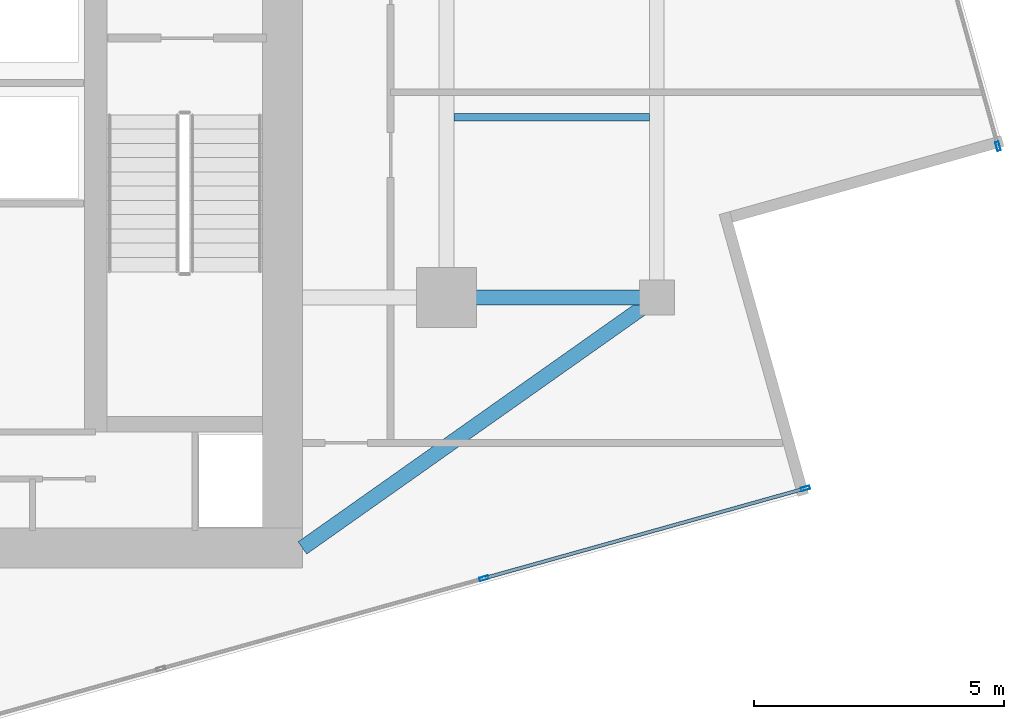
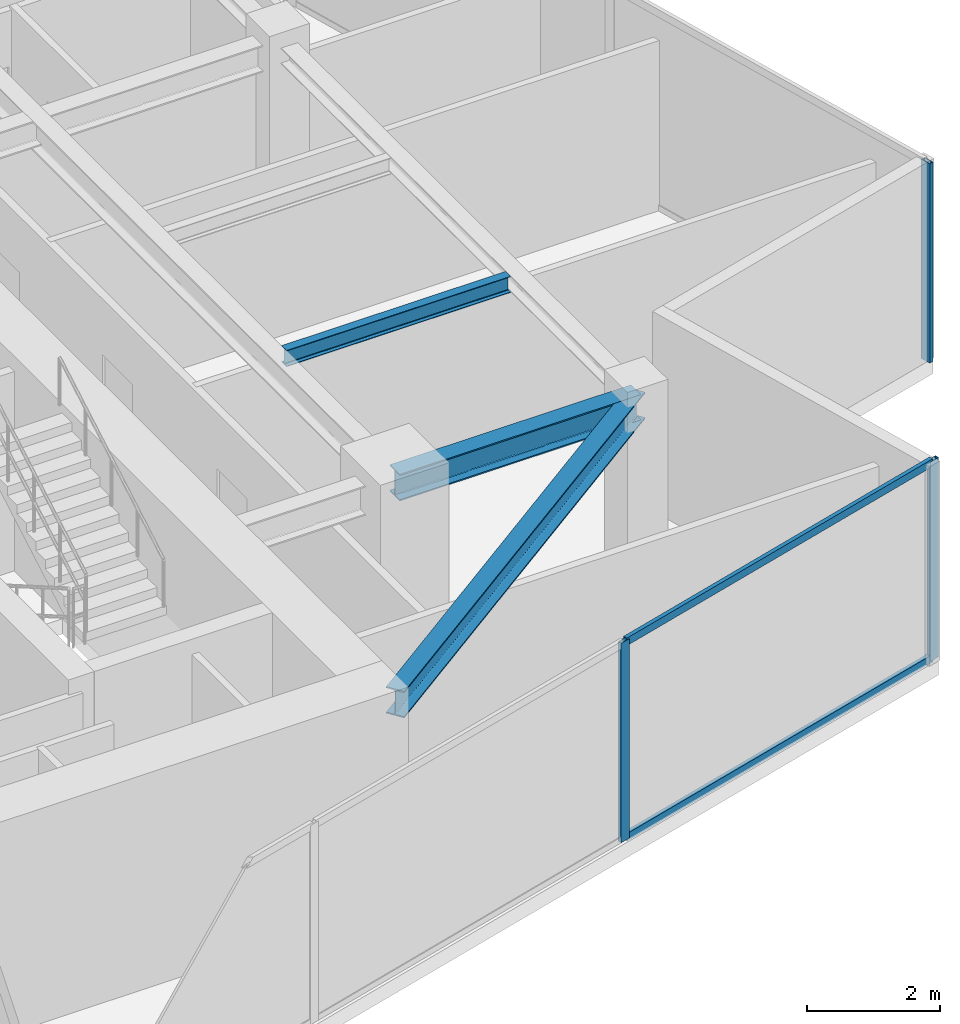
# One storey, part 9 of 20: 5 members, 3 beams, 2 elements without a shape of their own.
"""IFC4 building model written with IfcOpenShell, lengths in metres."""

from ifc_helpers import new_model, si_unit, direction, frame, origin, origin_2d, place, context, subcontext, project, spatial, hollow_rectangle, i_section, extrude, source, transform, mapped, material, material_profile, profile_set, type_object, type_shapes, element, aggregate, save


model = new_model("IFC4")

# Units and contexts
model_context = context("Model", 3, precision=1e-05, world=origin(), true_north=direction((0.0, 1.0)))
body_context = subcontext(model_context, "Body", "Model", "MODEL_VIEW")
ifc_project = project(units=[si_unit("LENGTHUNIT", "METRE"), si_unit("AREAUNIT", "SQUARE_METRE"), si_unit("VOLUMEUNIT", "CUBIC_METRE"), si_unit("PLANEANGLEUNIT", "RADIAN"), si_unit("MASSUNIT", "GRAM", prefix="KILO")], contexts=[model_context])

# Site, building, storey
site_placement = place(None, origin())
site = spatial("IfcSite", under=ifc_project, at=site_placement, CompositionType="ELEMENT")
building_placement = place(site_placement, origin())
building = spatial("IfcBuilding", under=site, at=building_placement, Name="Krantzveldt Concourse Tower", CompositionType="ELEMENT")
storey_placement = place(building_placement, frame((0.0, 0.0, 351.39990234375)))
storey = spatial("IfcBuildingStorey", under=building, at=storey_placement, Name="L86", CompositionType="ELEMENT", Elevation=351.39990234375)

# Beams
ifc_material_1 = material(Name="Steel S355JR", Category="steel")
ifc_material_profile_1 = material_profile(ifc_material_1, i_section(OverallWidth=0.300048828125, OverallDepth=0.489990234375, WebThickness=0.011962890625, FlangeThickness=0.02294921875, FilletRadius=0.027099609375, at=origin_2d()), Name="Steel S355JR", Category="steel")
ifc_profile_set_1 = profile_set([ifc_material_profile_1], Name="Steel S355JR - HEA 500")
beam_type_1 = type_object("IfcBeamType", Name="BM-B-HEA500", PredefinedType="BEAM", material=ifc_profile_set_1)
shared_shape_1 = source(origin(), body_context, "Body", "SweptSolid", [
    extrude(i_section(OverallWidth=0.300048828125, OverallDepth=0.489990234375, WebThickness=0.011962890625, FlangeThickness=0.02294921875, FilletRadius=0.027099609375, at=origin_2d()), origin(), (0.0, 0.0, 1.0), 4.199951171875),
])
beam_1_placement = place(storey_placement, frame((46.800048828125, 15.89990234375, 3.425048828125), z_axis=(1.0, 0.0, 0.0), x_axis=(0.0, 1.0, 0.0)))
element("IfcBeam", 1, at=beam_1_placement, inside=storey, type_object=beam_type_1, Name="L86 Tower Girder BR-RR1", PredefinedType="BEAM", context=body_context, shape_type="MappedRepresentation", body=[
    mapped(shared_shape_1, transform((0.0, 0.0, 0.0), x_axis=(1.0, 0.0, 0.0), y_axis=(0.0, 1.0, 0.0), z_axis=(0.0, 0.0, 1.0), scale=1.0)),
])
shared_shape_2 = source(origin(), body_context, "Body", "SweptSolid", [
    extrude(i_section(OverallWidth=0.300048828125, OverallDepth=0.489990234375, WebThickness=0.011962890625, FlangeThickness=0.02294921875, FilletRadius=0.027099609375, at=origin_2d()), origin(), (0.0, 0.0, 1.0), 8.667724609375),
])
type_shapes(beam_type_1, [shared_shape_1, shared_shape_2])
beam_2_placement = place(storey_placement, frame((51.0, 15.89990234375, 3.425048828125), z_axis=(-0.81684294656, -0.576860122261, 0.0), x_axis=(0.576860122261, -0.81684294656, 0.0)))
element("IfcBeam", 2, at=beam_2_placement, inside=storey, type_object=beam_type_1, Name="L86 Tower Girder BR-CSE", PredefinedType="BEAM", context=body_context, shape_type="MappedRepresentation", body=[
    mapped(shared_shape_2, transform((0.0, 0.0, 0.0), x_axis=(1.0, 0.0, 0.0), y_axis=(0.0, 1.0, 0.0), z_axis=(0.0, 0.0, 1.0), scale=1.0)),
])
ifc_material_profile_2 = material_profile(ifc_material_1, i_section(OverallWidth=0.14990234375, OverallDepth=0.300048828125, WebThickness=0.007080078125, FlangeThickness=0.0107421875, FilletRadius=0.014892578125, at=origin_2d()), Name="Steel S355JR", Category="steel")
ifc_profile_set_2 = profile_set([ifc_material_profile_2], Name="Steel S355JR - IPE 300")
beam_type_2 = type_object("IfcBeamType", Name="BM-J-IPE300", PredefinedType="JOIST", material=ifc_profile_set_2)
shared_shape_3 = source(origin(), body_context, "Body", "SweptSolid", [
    extrude(i_section(OverallWidth=0.14990234375, OverallDepth=0.300048828125, WebThickness=0.007080078125, FlangeThickness=0.0107421875, FilletRadius=0.014892578125, at=origin_2d()), origin(), (0.0, 0.0, 1.0), 3.900146484375),
])
type_shapes(beam_type_2, [shared_shape_3])
beam_3_placement = place(storey_placement, frame((46.949951171875, 19.5, 3.52001953125), z_axis=(1.0, 0.0, 0.0), x_axis=(0.0, 1.0, 0.0)))
element("IfcBeam", 3, at=beam_3_placement, inside=storey, type_object=beam_type_2, Name="L86 Secondary Floor Joist JE-1", PredefinedType="JOIST", context=body_context, shape_type="MappedRepresentation", body=[
    mapped(shared_shape_3, transform((0.0, 0.0, 0.0), x_axis=(1.0, 0.0, 0.0), y_axis=(0.0, 1.0, 0.0), z_axis=(0.0, 0.0, 1.0), scale=1.0)),
])

# Curtain wall, members
ifc_material_2 = material(Name="Anodised aluminium 6063-T6", Category="aluminium")
curtain_wall_type = type_object("IfcCurtainWallType", Name="CW4", PredefinedType="USERDEFINED", material=ifc_material_2)
curtain_wall_1_placement = place(storey_placement, origin())
curtain_wall_1 = element("IfcCurtainWall", 4, at=curtain_wall_1_placement, inside=storey, type_object=curtain_wall_type, Name="CW-L86-F07", ObjectType="UNITISED CURTAIN WALL", PredefinedType="USERDEFINED")
ifc_material_profile_3 = material_profile(ifc_material_2, hollow_rectangle(XDim=0.070068359375, YDim=0.179931640625, WallThickness=0.0048828125, at=origin_2d()), Name="Anodised aluminium 6063-T6", Category="aluminium")
ifc_profile_set_3 = profile_set([ifc_material_profile_3], Name="Anodised aluminium 6063-T6 - ALU-MULL 180x70x5")
member_type_1 = type_object("IfcMemberType", Name="CW-MUL-180", PredefinedType="MULLION", material=ifc_profile_set_3)
shared_shape_4 = source(origin(), body_context, "Body", "SweptSolid", [
    extrude(hollow_rectangle(XDim=0.070068359375, YDim=0.179931640625, WallThickness=0.0048828125, at=origin_2d()), origin(), (0.0, 0.0, 1.0), 3.670166015625),
])
type_shapes(member_type_1, [shared_shape_4])
member_1_placement = place(storey_placement, frame((47.545654296875, 10.29345703125, 0.0), z_axis=(0.0, 0.0, 1.0), x_axis=(-0.269339931454, 0.963045170968, 0.0)))
member_1 = element("IfcMember", 5, at=member_1_placement, type_object=member_type_1, Name="CW-Z56 mullion 4", PredefinedType="MULLION", context=body_context, shape_type="MappedRepresentation", body=[
    mapped(shared_shape_4, transform((0.0, 0.0, 0.0), x_axis=(1.0, 0.0, 0.0), y_axis=(0.0, 1.0, 0.0), z_axis=(0.0, 0.0, 1.0), scale=1.0)),
])
member_2_placement = place(storey_placement, frame((53.96435546875, 12.088623046875, 0.0), z_axis=(0.0, 0.0, 1.0), x_axis=(-0.269339931454, 0.963045170968, 0.0)))
member_2 = element("IfcMember", 6, at=member_2_placement, type_object=member_type_1, Name="CW-Z56 mullion 5", PredefinedType="MULLION", context=body_context, shape_type="MappedRepresentation", body=[
    mapped(shared_shape_4, transform((0.0, 0.0, 0.0), x_axis=(1.0, 0.0, 0.0), y_axis=(0.0, 1.0, 0.0), z_axis=(0.0, 0.0, 1.0), scale=1.0)),
])

# Curtain wall, member
curtain_wall_2_placement = place(storey_placement, origin())
curtain_wall_2 = element("IfcCurtainWall", 7, at=curtain_wall_2_placement, inside=storey, type_object=curtain_wall_type, Name="CW-L86-F10", ObjectType="UNITISED CURTAIN WALL", PredefinedType="USERDEFINED")
member_3_placement = place(storey_placement, frame((57.81103515625, 18.922119140625, 0.0), z_axis=(0.0, 0.0, 1.0), x_axis=(-0.963045170968, -0.269339931454, 0.0)))
member_3 = element("IfcMember", 8, at=member_3_placement, type_object=member_type_1, Name="CW-Z56 mullion 1", PredefinedType="MULLION", context=body_context, shape_type="MappedRepresentation", body=[
    mapped(shared_shape_4, transform((0.0, 0.0, 0.0), x_axis=(1.0, 0.0, 0.0), y_axis=(0.0, 1.0, 0.0), z_axis=(0.0, 0.0, 1.0), scale=1.0)),
])
aggregate(curtain_wall_2, [member_3])

# Member
ifc_material_profile_4 = material_profile(ifc_material_2, hollow_rectangle(XDim=0.070068359375, YDim=0.139892578125, WallThickness=0.0048828125, at=origin_2d()), Name="Anodised aluminium 6063-T6", Category="aluminium")
ifc_profile_set_4 = profile_set([ifc_material_profile_4], Name="Anodised aluminium 6063-T6 - ALU-TRAN 140x70x5")
member_type_2 = type_object("IfcMemberType", Name="CW-TRN-150", PredefinedType="USERDEFINED", material=ifc_profile_set_4)
shared_shape_5 = source(origin(), body_context, "Body", "SweptSolid", [
    extrude(hollow_rectangle(XDim=0.070068359375, YDim=0.139892578125, WallThickness=0.0048828125, at=origin_2d()), origin(), (0.0, 0.0, 1.0), 6.594970703125),
])
type_shapes(member_type_2, [shared_shape_5])
member_4_placement = place(storey_placement, frame((47.579345703125, 10.302734375, 0.03515625), z_axis=(0.963042794459, 0.269348428694, 0.0), x_axis=(-0.269348428694, 0.963042794459, 0.0)))
member_4 = element("IfcMember", 9, at=member_4_placement, type_object=member_type_2, Name="CW-Z56 transom 4.1", ObjectType="TRANSOM", PredefinedType="USERDEFINED", context=body_context, shape_type="MappedRepresentation", body=[
    mapped(shared_shape_5, transform((0.0, 0.0, 0.0), x_axis=(1.0, 0.0, 0.0), y_axis=(0.0, 1.0, 0.0), z_axis=(0.0, 0.0, 1.0), scale=1.0)),
])

member_5_placement = place(storey_placement, frame((47.579345703125, 10.302734375, 3.635009765625), z_axis=(0.963042794459, 0.269348428694, 0.0), x_axis=(-0.269348428694, 0.963042794459, 0.0)))
member_5 = element("IfcMember", 10, at=member_5_placement, type_object=member_type_2, Name="CW-Z56 transom 4.2", ObjectType="TRANSOM", PredefinedType="USERDEFINED", context=body_context, shape_type="MappedRepresentation", body=[
    mapped(shared_shape_5, transform((0.0, 0.0, 0.0), x_axis=(1.0, 0.0, 0.0), y_axis=(0.0, 1.0, 0.0), z_axis=(0.0, 0.0, 1.0), scale=1.0)),
])

aggregate(curtain_wall_1, [member_1, member_2, member_4, member_5])

save(model, "model.ifc")
